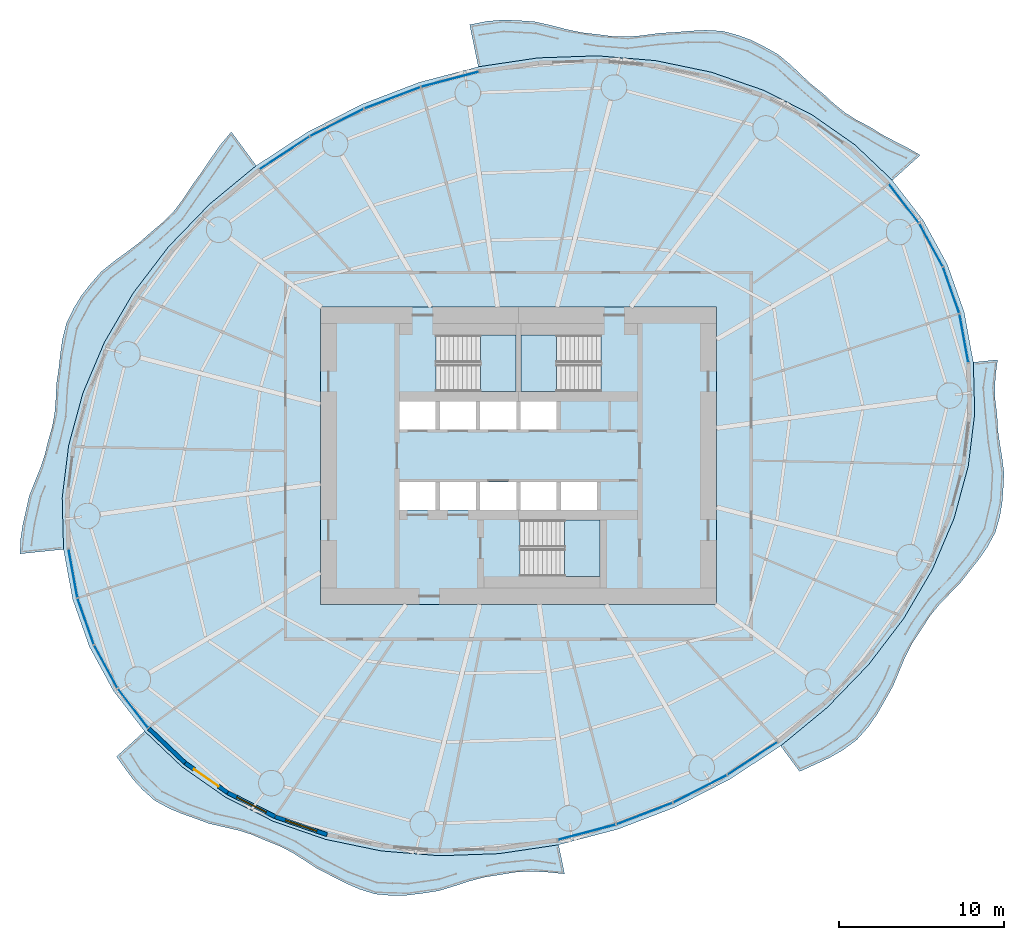
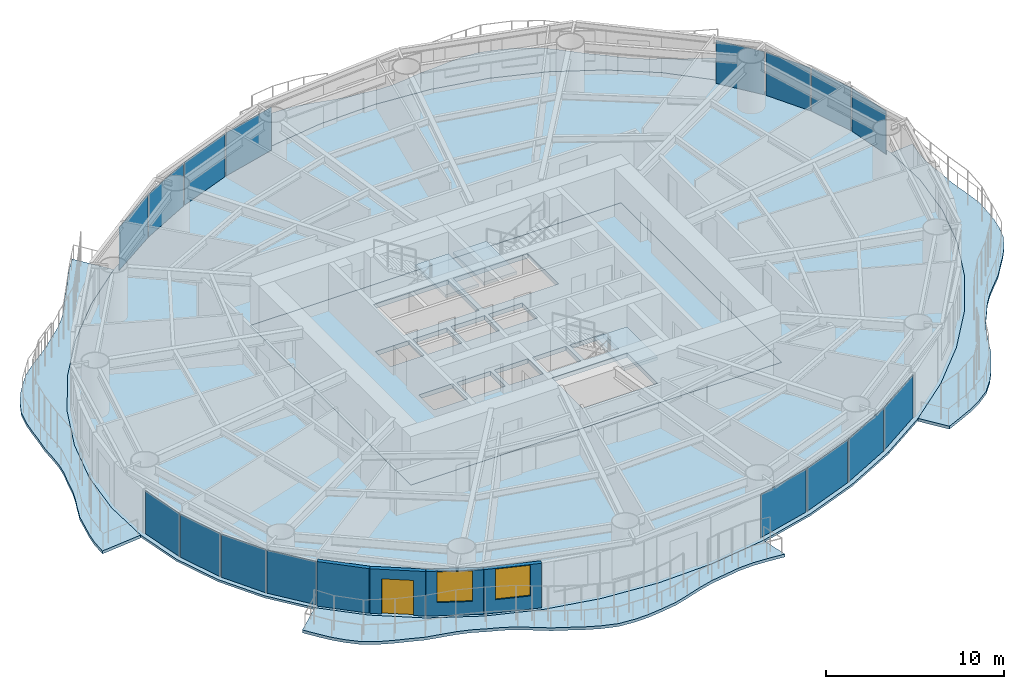
# One storey, part 6 of 15: 16 plates, 9 slabs, 4 walls, 2 windows, 1 door, 3 openings, 19 elements without a shape of their own.
"""IFC4 building model written with IfcOpenShell, lengths in metres."""

from ifc_helpers import new_model, si_unit, direction, frame, frame_2d, origin, origin_2d, place, context, subcontext, project, spatial, polyline, rectangle, outline, extrude, material, layer, layer_set, type_object, element, fill, aggregate, save


model = new_model("IFC4")

# Units and contexts
model_context = context("Model", 3, precision=1e-05, world=origin(), true_north=direction((0.0, 1.0)))
body_context = subcontext(model_context, "Body", "Model", "MODEL_VIEW")
ifc_project = project(units=[si_unit("LENGTHUNIT", "METRE"), si_unit("AREAUNIT", "SQUARE_METRE"), si_unit("VOLUMEUNIT", "CUBIC_METRE"), si_unit("PLANEANGLEUNIT", "RADIAN"), si_unit("MASSUNIT", "GRAM", prefix="KILO")], contexts=[model_context])

# Site, building, storey
site_placement = place(None, origin())
site = spatial("IfcSite", under=ifc_project, at=site_placement, CompositionType="ELEMENT")
building_placement = place(site_placement, origin())
building = spatial("IfcBuilding", under=site, at=building_placement, Name="Vermilion Reach Broadcast Tower", CompositionType="ELEMENT")
storey_placement = place(building_placement, frame((0.0, 0.0, 128.199951171875)))
storey = spatial("IfcBuildingStorey", under=building, at=storey_placement, Name="L30", CompositionType="ELEMENT", Elevation=128.199951171875)

# Slabs
ifc_material_1 = material(Name="Concrete C40/50", Category="concrete")
ifc_layer_1 = layer(ifc_material_1, 0.199951171875)
ifc_layer_set_1 = layer_set([ifc_layer_1], Name="Balcony slab 200")
slab_type_1 = type_object("IfcSlabType", Name="Balcony slab 200", PredefinedType="FLOOR", material=ifc_layer_set_1)
placement_1 = place(storey_placement, frame((0.0, 0.0, -0.199951171875)))
element("IfcSlab", 1, at=placement_1, inside=storey, type_object=slab_type_1, Name="Balcony slab L30 group 1", PredefinedType="FLOOR", context=body_context, shape_type="SweptSolid", body=[
    extrude(outline(polyline([(16.636474609375, 16.67919921875), (14.37060546875, 18.829345703125), (11.756103515625, 20.6572265625), (8.837890625, 22.1318359375), (5.665771484375, 23.2275390625), (2.2939453125, 23.926025390625), (-1.2197265625, 24.215087890625), (-4.815185546875, 24.089599609375), (-8.430908203125, 23.55224609375), (-8.9541015625, 26.10107421875), (-7.91650390625, 26.307861328125), (-7.004150390625, 26.384765625), (-6.076904296875, 26.3623046875), (-5.015869140625, 26.28271484375), (-3.983642578125, 26.049560546875), (-3.075439453125, 25.81494140625), (-2.168701171875, 25.623779296875), (-1.18896484375, 25.512939453125), (-0.23876953125, 25.388671875), (0.644287109375, 25.372802734375), (1.534912109375, 25.450439453125), (2.533935546875, 25.59130859375), (3.529296875, 25.646240234375), (4.424560546875, 25.72412109375), (5.31298828125, 25.768798828125), (6.35009765625, 25.716064453125), (7.32275390625, 25.455078125), (8.10888671875, 25.1611328125), (8.86572265625, 24.7822265625), (9.747314453125, 24.28125), (10.51416015625, 23.636962890625), (11.1318359375, 23.046875), (11.755126953125, 22.4677734375), (12.48779296875, 21.880615234375), (13.15283203125, 21.26318359375), (13.779541015625, 20.767822265625), (14.45458984375, 20.34130859375), (15.260986328125, 19.919921875), (16.02587890625, 19.439208984375), (16.743896484375, 19.061279296875), (17.4736328125, 18.69580078125), (18.323486328125, 18.2021484375), (16.636474609375, 16.67919921875)])), origin(), (0.0, 0.0, 1.0), 0.199951171875),
])
element("IfcSlab", 2, at=placement_1, inside=storey, type_object=slab_type_1, Name="Balcony slab L30 group 2", PredefinedType="FLOOR", context=body_context, shape_type="SweptSolid", body=[
    extrude(outline(polyline([(-21.876220703125, 17.56591796875), (-24.69482421875, 15.23876953125), (-27.19384765625, 12.650634765625), (-29.330322265625, 9.845947265625), (-31.0673828125, 6.873046875), (-32.37548828125, 3.782470703125), (-33.232421875, 0.627197265625), (-33.62353515625, -2.5390625), (-33.541748046875, -5.66162109375), (-36.178466796875, -5.935302734375), (-36.13134765625, -4.9482421875), (-36.007568359375, -4.163818359375), (-35.828857421875, -3.3779296875), (-35.62255859375, -2.442138671875), (-35.267333984375, -1.532470703125), (-34.953857421875, -0.767578125), (-34.689208984375, 0.00341796875), (-34.482666015625, 0.872802734375), (-34.228759765625, 1.74462890625), (-34.083251953125, 2.55224609375), (-34.013427734375, 3.380126953125), (-33.971435546875, 4.333984375), (-33.829833984375, 5.30908203125), (-33.734375, 6.1796875), (-33.610107421875, 7.038330078125), (-33.365966796875, 8.025146484375), (-32.916748046875, 8.95068359375), (-32.467041015625, 9.684814453125), (-31.935791015625, 10.37158203125), (-31.264892578125, 11.14111328125), (-30.446533203125, 11.80419921875), (-29.699462890625, 12.34326171875), (-28.96923828125, 12.89501953125), (-28.235595703125, 13.544921875), (-27.478759765625, 14.176025390625), (-26.8525390625, 14.821533203125), (-26.3017578125, 15.539794921875), (-25.753662109375, 16.383056640625), (-25.14404296875, 17.218017578125), (-24.61572265625, 18.013671875), (-24.07373046875, 18.79248046875), (-23.384765625, 19.612060546875), (-21.876220703125, 17.56591796875)])), origin(), (0.0, 0.0, 1.0), 0.199951171875),
])
element("IfcSlab", 3, at=placement_1, inside=storey, type_object=slab_type_1, Name="Balcony slab L30 group 3", PredefinedType="FLOOR", context=body_context, shape_type="SweptSolid", body=[
    extrude(outline(polyline([(-28.636474609375, -16.67919921875), (-26.37060546875, -18.829345703125), (-23.756103515625, -20.6572265625), (-20.837890625, -22.1318359375), (-17.665771484375, -23.2275390625), (-14.2939453125, -23.926025390625), (-10.7802734375, -24.215087890625), (-7.184814453125, -24.089599609375), (-3.569091796875, -23.55224609375), (-3.20751953125, -25.3134765625), (-4.246337890625, -25.212158203125), (-5.177978515625, -25.15966796875), (-6.095947265625, -25.19970703125), (-7.06884765625, -25.357666015625), (-8.035400390625, -25.508544921875), (-8.927001953125, -25.7421875), (-9.817138671875, -26.030517578125), (-10.830322265625, -26.338623046875), (-11.852294921875, -26.49755859375), (-12.74560546875, -26.606689453125), (-13.6318359375, -26.629150390625), (-14.67041015625, -26.5380859375), (-15.650390625, -26.230712890625), (-16.4560546875, -25.876708984375), (-17.250732421875, -25.468017578125), (-18.156982421875, -25.013671875), (-18.983642578125, -24.472900390625), (-19.712646484375, -24.013916015625), (-20.465087890625, -23.622314453125), (-21.326171875, -23.2861328125), (-22.155517578125, -22.927001953125), (-22.94580078125, -22.6787109375), (-23.76513671875, -22.488037109375), (-24.7216796875, -22.271728515625), (-25.62353515625, -21.936279296875), (-26.404052734375, -21.660888671875), (-27.157958984375, -21.34716796875), (-28.033203125, -20.865966796875), (-28.76025390625, -20.21337890625), (-29.2900390625, -19.636962890625), (-29.7685546875, -19.0068359375), (-30.33447265625, -18.2119140625), (-28.636474609375, -16.67919921875)])), origin(), (0.0, 0.0, 1.0), 0.199951171875),
])
element("IfcSlab", 4, at=placement_1, inside=storey, type_object=slab_type_1, Name="Balcony slab L30 group 4", PredefinedType="FLOOR", context=body_context, shape_type="SweptSolid", body=[
    extrude(outline(polyline([(9.876220703125, -17.56591796875), (12.69482421875, -15.23876953125), (15.19384765625, -12.650634765625), (17.330322265625, -9.845947265625), (19.0673828125, -6.873046875), (20.37548828125, -3.782470703125), (21.232421875, -0.627197265625), (21.62353515625, 2.5390625), (21.541748046875, 5.66162109375), (23.009765625, 5.81396484375), (22.889892578125, 4.915771484375), (22.838623046875, 4.133056640625), (22.8671875, 3.352783203125), (22.97705078125, 2.473388671875), (23.025390625, 1.562255859375), (23.13818359375, 0.74462890625), (23.278076171875, -0.076171875), (23.397216796875, -1.052490234375), (23.346923828125, -2.04833984375), (23.281494140625, -2.877685546875), (23.14111328125, -3.6865234375), (22.86962890625, -4.64453125), (22.380615234375, -5.542236328125), (21.89013671875, -6.24560546875), (21.35009765625, -6.92822265625), (20.741943359375, -7.71240234375), (20.03173828125, -8.43359375), (19.421875, -9.07421875), (18.8759765625, -9.752197265625), (18.37158203125, -10.543212890625), (17.841552734375, -11.343505859375), (17.431884765625, -12.139404296875), (17.077880859375, -12.977783203125), (16.683837890625, -13.9296875), (16.17138671875, -14.844482421875), (15.708251953125, -15.647705078125), (15.1904296875, -16.39794921875), (14.497314453125, -17.18701171875), (13.64013671875, -17.81884765625), (12.833984375, -18.27783203125), (11.979736328125, -18.678466796875), (11.019287109375, -19.11669921875), (9.876220703125, -17.56591796875)])), origin(), (0.0, 0.0, 1.0), 0.199951171875),
])
ifc_material_2 = material(Name="Concrete C40", Category="concrete")
ifc_layer_2 = layer(ifc_material_2, 0.300048828125)
ifc_layer_set_2 = layer_set([ifc_layer_2], Name="Core floor slab 300 mm Concrete C40")
slab_type_2 = type_object("IfcSlabType", Name="Core floor slab 300 mm Concrete C40", PredefinedType="FLOOR", material=ifc_layer_set_2)
slab_5_placement = place(storey_placement, frame((0.0, 0.0, -0.300048828125)))
element("IfcSlab", 5, at=slab_5_placement, inside=storey, type_object=slab_type_2, Name="L30 core floor", PredefinedType="FLOOR", context=body_context, shape_type="SweptSolid", body=[
    extrude(outline(polyline([(-18.0, -9.0), (6.0, -9.0), (6.0, 9.0), (-18.0, 9.0), (-18.0, -9.0)]), holes=[polyline([(-13.199951171875, 1.60009765625), (-11.00830078125, 1.60009765625), (-11.00830078125, 3.280029296875), (-13.199951171875, 3.280029296875), (-13.199951171875, 1.60009765625)]), polyline([(-10.75830078125, 1.60009765625), (-8.566650390625, 1.60009765625), (-8.566650390625, 3.280029296875), (-10.75830078125, 3.280029296875), (-10.75830078125, 1.60009765625)]), polyline([(-8.316650390625, 1.60009765625), (-6.125, 1.60009765625), (-6.125, 3.280029296875), (-8.316650390625, 3.280029296875), (-8.316650390625, 1.60009765625)]), polyline([(-5.875, 1.60009765625), (-3.683349609375, 1.60009765625), (-3.683349609375, 3.280029296875), (-5.875, 3.280029296875), (-5.875, 1.60009765625)]), polyline([(-13.199951171875, -3.280029296875), (-11.00830078125, -3.280029296875), (-11.00830078125, -1.60009765625), (-13.199951171875, -1.60009765625), (-13.199951171875, -3.280029296875)]), polyline([(-10.75830078125, -3.280029296875), (-8.566650390625, -3.280029296875), (-8.566650390625, -1.60009765625), (-10.75830078125, -1.60009765625), (-10.75830078125, -3.280029296875)]), polyline([(-8.316650390625, -3.280029296875), (-6.125, -3.280029296875), (-6.125, -1.60009765625), (-8.316650390625, -1.60009765625), (-8.316650390625, -3.280029296875)]), polyline([(-5.875, -3.280029296875), (-3.683349609375, -3.280029296875), (-3.683349609375, -1.60009765625), (-5.875, -1.60009765625), (-5.875, -3.280029296875)]), polyline([(-3.433349609375, -3.280029296875), (-1.24169921875, -3.280029296875), (-1.24169921875, -1.60009765625), (-3.433349609375, -1.60009765625), (-3.433349609375, -3.280029296875)]), polyline([(-10.999267578125, 3.8798828125), (-6.14990234375, 3.8798828125), (-6.14990234375, 7.300048828125), (-10.999267578125, 7.300048828125), (-10.999267578125, 3.8798828125)]), polyline([(-1.000732421875, 7.300048828125), (-5.85009765625, 7.300048828125), (-5.85009765625, 3.8798828125), (-1.000732421875, 3.8798828125), (-1.000732421875, 7.300048828125)]), polyline([(-5.8994140625, -7.300048828125), (-1.050048828125, -7.300048828125), (-1.050048828125, -3.8798828125), (-5.8994140625, -3.8798828125), (-5.8994140625, -7.300048828125)])]), origin(), (0.0, 0.0, 1.0), 0.300048828125),
])

# Stair, slab
ifc_material_3 = material(Name="Concrete C40", Category="concrete")
stair_type = type_object("IfcStairType", Name="Exit stair RC 22 risers 164 mm", PredefinedType="HALF_TURN_STAIR", material=ifc_material_3)
placement_2 = place(storey_placement, origin())
stair_1 = element("IfcStair", 6, at=placement_2, inside=storey, type_object=stair_type, Name="L30 Exit stair ST1", PredefinedType="HALF_TURN_STAIR")
ifc_material_4 = material(Name="Concrete C40", Category="concrete")
ifc_layer_3 = layer(ifc_material_4, 0.199951171875)
ifc_layer_set_3 = layer_set([ifc_layer_3], Name="Exit stair landing Concrete C40")
slab_type_3 = type_object("IfcSlabType", Name="Exit stair landing Concrete C40", PredefinedType="LANDING", material=ifc_layer_set_3)
placement_3 = place(storey_placement, frame((0.0, 0.0, 1.60009765625)))
slab_6 = element("IfcSlab", 7, at=placement_3, type_object=slab_type_3, Name="ST1 landing 1", PredefinedType="LANDING", context=body_context, shape_type="SweptSolid", body=[
    extrude(outline(polyline([(-8.300048828125, 3.8798828125), (-6.14990234375, 3.8798828125), (-6.14990234375, 7.300048828125), (-8.300048828125, 7.300048828125), (-8.300048828125, 3.8798828125)])), origin(), (0.0, 0.0, 1.0), 0.199951171875),
])
aggregate(stair_1, [slab_6])

stair_2 = element("IfcStair", 8, at=placement_2, inside=storey, type_object=stair_type, Name="L30 Exit stair ST2", PredefinedType="HALF_TURN_STAIR")
slab_7 = element("IfcSlab", 9, at=placement_3, type_object=slab_type_3, Name="ST2 landing 1", PredefinedType="LANDING", context=body_context, shape_type="SweptSolid", body=[
    extrude(outline(polyline([(-3.699951171875, 7.300048828125), (-5.85009765625, 7.300048828125), (-5.85009765625, 3.8798828125), (-3.699951171875, 3.8798828125), (-3.699951171875, 7.300048828125)])), origin(), (0.0, 0.0, 1.0), 0.199951171875),
])
aggregate(stair_2, [slab_7])

stair_3 = element("IfcStair", 10, at=placement_2, inside=storey, type_object=stair_type, Name="L30 Exit stair ST3", PredefinedType="HALF_TURN_STAIR")
slab_8 = element("IfcSlab", 11, at=placement_3, type_object=slab_type_3, Name="ST3 landing 1", PredefinedType="LANDING", context=body_context, shape_type="SweptSolid", body=[
    extrude(outline(polyline([(-3.199951171875, -7.300048828125), (-1.050048828125, -7.300048828125), (-1.050048828125, -3.8798828125), (-3.199951171875, -3.8798828125), (-3.199951171875, -7.300048828125)])), origin(), (0.0, 0.0, 1.0), 0.199951171875),
])
aggregate(stair_3, [slab_8])

# Slab
ifc_material_5 = material(Name="Concrete C40", Category="concrete")
ifc_layer_4 = layer(ifc_material_5, 0.14990234375)
ifc_layer_set_4 = layer_set([ifc_layer_4], Name="Floor slab Concrete C40 composite 150")
slab_type_4 = type_object("IfcSlabType", Name="Floor slab Concrete C40 composite 150", PredefinedType="FLOOR", material=ifc_layer_set_4)
slab_9_placement = place(storey_placement, frame((0.0, 0.0, -0.14990234375)))
element("IfcSlab", 12, at=slab_9_placement, inside=storey, type_object=slab_type_4, Name="Floor slab L30", PredefinedType="FLOOR", context=body_context, shape_type="SweptSolid", body=[
    extrude(outline(polyline([(19.97412109375, 11.564453125), (18.51513671875, 14.24365234375), (16.636474609375, 16.67919921875), (14.37060546875, 18.829345703125), (11.756103515625, 20.6572265625), (8.837890625, 22.1318359375), (5.665771484375, 23.2275390625), (2.2939453125, 23.926025390625), (-1.2197265625, 24.215087890625), (-4.815185546875, 24.089599609375), (-8.430908203125, 23.55224609375), (-12.005126953125, 22.61181640625), (-15.476318359375, 21.284423828125), (-18.78564453125, 19.5927734375), (-21.876220703125, 17.56591796875), (-24.69482421875, 15.23876953125), (-27.19384765625, 12.650634765625), (-29.330322265625, 9.845947265625), (-31.0673828125, 6.873046875), (-32.37548828125, 3.782470703125), (-33.232421875, 0.627197265625), (-33.62353515625, -2.5390625), (-33.541748046875, -5.66162109375), (-32.98876953125, -8.687255859375), (-31.97412109375, -11.564453125), (-30.51513671875, -14.24365234375), (-28.636474609375, -16.67919921875), (-26.37060546875, -18.829345703125), (-23.756103515625, -20.6572265625), (-20.837890625, -22.1318359375), (-17.665771484375, -23.2275390625), (-14.2939453125, -23.926025390625), (-10.7802734375, -24.215087890625), (-7.184814453125, -24.089599609375), (-3.569091796875, -23.55224609375), (0.005126953125, -22.61181640625), (3.476318359375, -21.284423828125), (6.78564453125, -19.5927734375), (9.876220703125, -17.56591796875), (12.69482421875, -15.23876953125), (15.19384765625, -12.650634765625), (17.330322265625, -9.845947265625), (19.0673828125, -6.873046875), (20.37548828125, -3.782470703125), (21.232421875, -0.627197265625), (21.62353515625, 2.5390625), (21.541748046875, 5.66162109375), (20.98876953125, 8.687255859375), (19.97412109375, 11.564453125)]), holes=[polyline([(-18.0, -9.0), (6.0, -9.0), (6.0, 9.0), (-18.0, 9.0), (-18.0, -9.0)])]), origin(), (0.0, 0.0, 1.0), 0.14990234375),
])

# Curtain wall, plate
ifc_material_6 = material(Name="Low-e laminated clear glass in aluminium frame", Category="aluminium")
curtain_wall_type = type_object("IfcCurtainWallType", Name="Slot curtain wall", PredefinedType="NOTDEFINED", material=ifc_material_6)
curtain_wall_1 = element("IfcCurtainWall", 13, at=placement_2, inside=storey, type_object=curtain_wall_type, Name="Slot curtain wall L30 46", PredefinedType="NOTDEFINED")
ifc_material_7 = material(Name="Low-e laminated clear glass", Category="glass")
ifc_layer_5 = layer(ifc_material_7, 0.028076171875)
ifc_layer_set_5 = layer_set([ifc_layer_5], Name="Slot glass panel")
plate_type = type_object("IfcPlateType", Name="Slot glass panel", PredefinedType="CURTAIN_PANEL", material=ifc_layer_set_5)
plate_1_placement = place(storey_placement, frame((20.97119140625, 7.12060546875, 0.0), z_axis=(0.0, 0.0, 1.0), x_axis=(-0.179754827365, 0.983711442466, 0.0)))
plate_1 = element("IfcPlate", 14, at=plate_1_placement, type_object=plate_type, Name="Slot glass panel L30 46", PredefinedType="CURTAIN_PANEL", context=body_context, shape_type="SweptSolid", body=[
    extrude(rectangle(XDim=2.948974609375, YDim=0.028076171875, at=origin_2d()), origin(), (0.0, 0.0, 1.0), 2.949951171875),
])
aggregate(curtain_wall_1, [plate_1])

curtain_wall_2 = element("IfcCurtainWall", 15, at=placement_2, inside=storey, type_object=curtain_wall_type, Name="Slot curtain wall L30 47", PredefinedType="NOTDEFINED")
plate_2_placement = place(storey_placement, frame((20.199462890625, 10.0263671875, 0.0), z_axis=(0.0, 0.0, 1.0), x_axis=(-0.332601754903, 0.943067374388, 0.0)))
plate_2 = element("IfcPlate", 16, at=plate_2_placement, type_object=plate_type, Name="Slot glass panel L30 47", PredefinedType="CURTAIN_PANEL", context=body_context, shape_type="SweptSolid", body=[
    extrude(rectangle(XDim=2.923095703125, YDim=0.028076171875, at=origin_2d()), origin(), (0.0, 0.0, 1.0), 2.949951171875),
])
aggregate(curtain_wall_2, [plate_2])

curtain_wall_3 = element("IfcCurtainWall", 17, at=placement_2, inside=storey, type_object=curtain_wall_type, Name="Slot curtain wall L30 00", PredefinedType="NOTDEFINED")
plate_3_placement = place(storey_placement, frame((18.98193359375, 12.760986328125, 0.0), z_axis=(0.0, 0.0, 1.0), x_axis=(-0.478281521866, 0.878206573559, 0.0)))
plate_3 = element("IfcPlate", 18, at=plate_3_placement, type_object=plate_type, Name="Slot glass panel L30 00", PredefinedType="CURTAIN_PANEL", context=body_context, shape_type="SweptSolid", body=[
    extrude(rectangle(XDim=2.923095703125, YDim=0.028076171875, at=origin_2d()), origin(), (0.0, 0.0, 1.0), 2.949951171875),
])
aggregate(curtain_wall_3, [plate_3])

curtain_wall_4 = element("IfcCurtainWall", 19, at=placement_2, inside=storey, type_object=curtain_wall_type, Name="Slot curtain wall L30 01", PredefinedType="NOTDEFINED")
plate_4_placement = place(storey_placement, frame((17.3388671875, 15.27880859375, 0.0), z_axis=(0.0, 0.0, 1.0), x_axis=(-0.610760620266, 0.791815297107, 0.0)))
plate_4 = element("IfcPlate", 20, at=plate_4_placement, type_object=plate_type, Name="Slot glass panel L30 01", PredefinedType="CURTAIN_PANEL", context=body_context, shape_type="SweptSolid", body=[
    extrude(rectangle(XDim=2.948974609375, YDim=0.028076171875, at=origin_2d()), origin(), (0.0, 0.0, 1.0), 2.949951171875),
])
aggregate(curtain_wall_4, [plate_4])

curtain_wall_5 = element("IfcCurtainWall", 21, at=placement_2, inside=storey, type_object=curtain_wall_type, Name="Slot curtain wall L30 10", PredefinedType="NOTDEFINED")
plate_5_placement = place(storey_placement, frame((-10.141845703125, 22.792236328125, 0.0), z_axis=(0.0, 0.0, 1.0), x_axis=(-0.96707948051, -0.254474514198, 0.0)))
plate_5 = element("IfcPlate", 22, at=plate_5_placement, type_object=plate_type, Name="Slot glass panel L30 10", PredefinedType="CURTAIN_PANEL", context=body_context, shape_type="SweptSolid", body=[
    extrude(rectangle(XDim=3.583251953125, YDim=0.028076171875, at=origin_2d()), origin(), (0.0, 0.0, 1.0), 2.949951171875),
])
aggregate(curtain_wall_5, [plate_5])

curtain_wall_6 = element("IfcCurtainWall", 23, at=placement_2, inside=storey, type_object=curtain_wall_type, Name="Slot curtain wall L30 11", PredefinedType="NOTDEFINED")
plate_6_placement = place(storey_placement, frame((-13.6337890625, 21.668212890625, 0.0), z_axis=(0.0, 0.0, 1.0), x_axis=(-0.934044458079, -0.357156758766, 0.0)))
plate_6 = element("IfcPlate", 24, at=plate_6_placement, type_object=plate_type, Name="Slot glass panel L30 11", PredefinedType="CURTAIN_PANEL", context=body_context, shape_type="SweptSolid", body=[
    extrude(rectangle(XDim=3.604248046875, YDim=0.028076171875, at=origin_2d()), origin(), (0.0, 0.0, 1.0), 2.949951171875),
])
aggregate(curtain_wall_6, [plate_6])

curtain_wall_7 = element("IfcCurtainWall", 25, at=placement_2, inside=storey, type_object=curtain_wall_type, Name="Slot curtain wall L30 12", PredefinedType="NOTDEFINED")
plate_7_placement = place(storey_placement, frame((-16.99462890625, 20.171875, 0.0), z_axis=(0.0, 0.0, 1.0), x_axis=(-0.890416860117, -0.45514592739, 0.0)))
plate_7 = element("IfcPlate", 26, at=plate_7_placement, type_object=plate_type, Name="Slot glass panel L30 12", PredefinedType="CURTAIN_PANEL", context=body_context, shape_type="SweptSolid", body=[
    extrude(rectangle(XDim=3.604248046875, YDim=0.028076171875, at=origin_2d()), origin(), (0.0, 0.0, 1.0), 2.949951171875),
])
aggregate(curtain_wall_7, [plate_7])

curtain_wall_8 = element("IfcCurtainWall", 27, at=placement_2, inside=storey, type_object=curtain_wall_type, Name="Slot curtain wall L30 13", PredefinedType="NOTDEFINED")
plate_8_placement = place(storey_placement, frame((-20.16650390625, 18.328857421875, 0.0), z_axis=(0.0, 0.0, 1.0), x_axis=(-0.836213963772, -0.548403324929, 0.0)))
plate_8 = element("IfcPlate", 28, at=plate_8_placement, type_object=plate_type, Name="Slot glass panel L30 13", PredefinedType="CURTAIN_PANEL", context=body_context, shape_type="SweptSolid", body=[
    extrude(rectangle(XDim=3.583251953125, YDim=0.028076171875, at=origin_2d()), origin(), (0.0, 0.0, 1.0), 2.949951171875),
])
aggregate(curtain_wall_8, [plate_8])

curtain_wall_9 = element("IfcCurtainWall", 29, at=placement_2, inside=storey, type_object=curtain_wall_type, Name="Slot curtain wall L30 22", PredefinedType="NOTDEFINED")
plate_9_placement = place(storey_placement, frame((-32.97119140625, -7.12060546875, 0.0), z_axis=(0.0, 0.0, 1.0), x_axis=(0.179754827365, -0.983711442466, 0.0)))
plate_9 = element("IfcPlate", 30, at=plate_9_placement, type_object=plate_type, Name="Slot glass panel L30 22", PredefinedType="CURTAIN_PANEL", context=body_context, shape_type="SweptSolid", body=[
    extrude(rectangle(XDim=2.948974609375, YDim=0.028076171875, at=origin_2d()), origin(), (0.0, 0.0, 1.0), 2.949951171875),
])
aggregate(curtain_wall_9, [plate_9])

curtain_wall_10 = element("IfcCurtainWall", 31, at=placement_2, inside=storey, type_object=curtain_wall_type, Name="Slot curtain wall L30 23", PredefinedType="NOTDEFINED")
plate_10_placement = place(storey_placement, frame((-32.199462890625, -10.0263671875, 0.0), z_axis=(0.0, 0.0, 1.0), x_axis=(0.332601754903, -0.943067374388, 0.0)))
plate_10 = element("IfcPlate", 32, at=plate_10_placement, type_object=plate_type, Name="Slot glass panel L30 23", PredefinedType="CURTAIN_PANEL", context=body_context, shape_type="SweptSolid", body=[
    extrude(rectangle(XDim=2.923095703125, YDim=0.028076171875, at=origin_2d()), origin(), (0.0, 0.0, 1.0), 2.949951171875),
])
aggregate(curtain_wall_10, [plate_10])

curtain_wall_11 = element("IfcCurtainWall", 33, at=placement_2, inside=storey, type_object=curtain_wall_type, Name="Slot curtain wall L30 24", PredefinedType="NOTDEFINED")
plate_11_placement = place(storey_placement, frame((-30.98193359375, -12.760986328125, 0.0), z_axis=(0.0, 0.0, 1.0), x_axis=(0.478281521866, -0.878206573559, 0.0)))
plate_11 = element("IfcPlate", 34, at=plate_11_placement, type_object=plate_type, Name="Slot glass panel L30 24", PredefinedType="CURTAIN_PANEL", context=body_context, shape_type="SweptSolid", body=[
    extrude(rectangle(XDim=2.923095703125, YDim=0.028076171875, at=origin_2d()), origin(), (0.0, 0.0, 1.0), 2.949951171875),
])
aggregate(curtain_wall_11, [plate_11])

curtain_wall_12 = element("IfcCurtainWall", 35, at=placement_2, inside=storey, type_object=curtain_wall_type, Name="Slot curtain wall L30 25", PredefinedType="NOTDEFINED")
plate_12_placement = place(storey_placement, frame((-29.3388671875, -15.27880859375, 0.0), z_axis=(0.0, 0.0, 1.0), x_axis=(0.610760620266, -0.791815297107, 0.0)))
plate_12 = element("IfcPlate", 36, at=plate_12_placement, type_object=plate_type, Name="Slot glass panel L30 25", PredefinedType="CURTAIN_PANEL", context=body_context, shape_type="SweptSolid", body=[
    extrude(rectangle(XDim=2.948974609375, YDim=0.028076171875, at=origin_2d()), origin(), (0.0, 0.0, 1.0), 2.949951171875),
])
aggregate(curtain_wall_12, [plate_12])

curtain_wall_13 = element("IfcCurtainWall", 37, at=placement_2, inside=storey, type_object=curtain_wall_type, Name="Slot curtain wall L30 34", PredefinedType="NOTDEFINED")
plate_13_placement = place(storey_placement, frame((-1.858154296875, -22.792236328125, 0.0), z_axis=(0.0, 0.0, 1.0), x_axis=(0.96707948051, 0.254474514198, 0.0)))
plate_13 = element("IfcPlate", 38, at=plate_13_placement, type_object=plate_type, Name="Slot glass panel L30 34", PredefinedType="CURTAIN_PANEL", context=body_context, shape_type="SweptSolid", body=[
    extrude(rectangle(XDim=3.583251953125, YDim=0.028076171875, at=origin_2d()), origin(), (0.0, 0.0, 1.0), 2.949951171875),
])
aggregate(curtain_wall_13, [plate_13])

curtain_wall_14 = element("IfcCurtainWall", 39, at=placement_2, inside=storey, type_object=curtain_wall_type, Name="Slot curtain wall L30 35", PredefinedType="NOTDEFINED")
plate_14_placement = place(storey_placement, frame((1.6337890625, -21.668212890625, 0.0), z_axis=(0.0, 0.0, 1.0), x_axis=(0.934044458079, 0.357156758766, 0.0)))
plate_14 = element("IfcPlate", 40, at=plate_14_placement, type_object=plate_type, Name="Slot glass panel L30 35", PredefinedType="CURTAIN_PANEL", context=body_context, shape_type="SweptSolid", body=[
    extrude(rectangle(XDim=3.604248046875, YDim=0.028076171875, at=origin_2d()), origin(), (0.0, 0.0, 1.0), 2.949951171875),
])
aggregate(curtain_wall_14, [plate_14])

curtain_wall_15 = element("IfcCurtainWall", 41, at=placement_2, inside=storey, type_object=curtain_wall_type, Name="Slot curtain wall L30 36", PredefinedType="NOTDEFINED")
plate_15_placement = place(storey_placement, frame((4.99462890625, -20.171875, 0.0), z_axis=(0.0, 0.0, 1.0), x_axis=(0.890416860117, 0.45514592739, 0.0)))
plate_15 = element("IfcPlate", 42, at=plate_15_placement, type_object=plate_type, Name="Slot glass panel L30 36", PredefinedType="CURTAIN_PANEL", context=body_context, shape_type="SweptSolid", body=[
    extrude(rectangle(XDim=3.604248046875, YDim=0.028076171875, at=origin_2d()), origin(), (0.0, 0.0, 1.0), 2.949951171875),
])
aggregate(curtain_wall_15, [plate_15])

curtain_wall_16 = element("IfcCurtainWall", 43, at=placement_2, inside=storey, type_object=curtain_wall_type, Name="Slot curtain wall L30 37", PredefinedType="NOTDEFINED")
plate_16_placement = place(storey_placement, frame((8.16650390625, -18.328857421875, 0.0), z_axis=(0.0, 0.0, 1.0), x_axis=(0.836213963772, 0.548403324929, 0.0)))
plate_16 = element("IfcPlate", 44, at=plate_16_placement, type_object=plate_type, Name="Slot glass panel L30 37", PredefinedType="CURTAIN_PANEL", context=body_context, shape_type="SweptSolid", body=[
    extrude(rectangle(XDim=3.583251953125, YDim=0.028076171875, at=origin_2d()), origin(), (0.0, 0.0, 1.0), 2.949951171875),
])
aggregate(curtain_wall_16, [plate_16])

# Wall
ifc_material_8 = material(Name="Terracotta rainscreen cladding", Category="masonry")
ifc_layer_6 = layer(ifc_material_8, 0.25)
ifc_layer_set_6 = layer_set([ifc_layer_6], Name="Terracotta rainscreen wall 250")
wall_type = type_object("IfcWallType", Name="Terracotta rainscreen wall 250", PredefinedType="SOLIDWALL", material=ifc_layer_set_6)
wall_1_placement = place(storey_placement, frame((-28.3740234375, -16.515869140625, 0.0), z_axis=(0.0, 0.0, 1.0), x_axis=(0.725398271138, -0.688329389341, 0.0)))
element("IfcWall", 45, at=wall_1_placement, inside=storey, type_object=wall_type, Name="External wall L30 26", PredefinedType="SOLIDWALL", context=body_context, shape_type="SweptSolid", body=[
    extrude(rectangle(XDim=3.009765625, YDim=0.25, at=frame_2d((1.5048828125, 0.0))), origin(), (0.0, 0.0, 1.0), 3.050048828125),
])

# Wall, opening, door
wall_2_placement = place(storey_placement, frame((-26.170166015625, -18.6044921875, 0.0), z_axis=(0.0, 0.0, 1.0), x_axis=(0.81958096781, -0.572963382079, 0.0)))
wall_2 = element("IfcWall", 46, at=wall_2_placement, inside=storey, type_object=wall_type, Name="External wall L30 27", PredefinedType="SOLIDWALL", context=body_context, shape_type="SweptSolid", body=[
    extrude(rectangle(XDim=3.120361328125, YDim=0.25, at=frame_2d((1.56005859375, 0.0))), origin(), (0.0, 0.0, 1.0), 3.050048828125),
])
opening_1_placement = place(wall_2_placement, frame((0.659912109375, 0.0, 0.0)))
opening_1 = element("IfcOpeningElement", 47, at=opening_1_placement, cuts=wall_2, Name="Opening D70", PredefinedType="OPENING", context=body_context, shape_type="SweptSolid", body=[
    extrude(rectangle(XDim=1.800048828125, YDim=2.39990234375, at=frame_2d((0.89990234375, 1.199951171875))), frame((0.0, 0.135009765625, 0.0), z_axis=(0.0, -1.0, 0.0), x_axis=(1.0, 0.0, 0.0)), (0.0, 0.0, 1.0), 0.27001953125),
])
ifc_material_9 = material(Name="Low-e laminated clear glass in aluminium frame", Category="aluminium")
door_type = type_object("IfcDoorType", Name="Balcony sliding door 1800 x 2400", OperationType="DOUBLE_DOOR_SLIDING", PredefinedType="DOOR", material=ifc_material_9)
door_placement = place(opening_1_placement, origin())
door = element("IfcDoor", 48, at=door_placement, inside=storey, type_object=door_type, Name="Balcony door L30 run 07", OperationType="DOUBLE_DOOR_SLIDING", OverallHeight=2.39990234375, OverallWidth=1.800048828125, PredefinedType="DOOR", context=body_context, shape_type="SweptSolid", body=[
    extrude(rectangle(XDim=1.800048828125, YDim=2.39990234375, at=frame_2d((0.89990234375, 1.199951171875))), frame((0.0, 0.02490234375, 0.0), z_axis=(0.0, -1.0, 0.0), x_axis=(1.0, 0.0, 0.0)), (0.0, 0.0, 1.0), 0.050048828125),
])
fill(opening_1, door)

# Wall, opening, window
wall_3_placement = place(storey_placement, frame((-23.5908203125, -20.405517578125, 0.0), z_axis=(0.0, 0.0, 1.0), x_axis=(0.892544139391, -0.450960041732, 0.0)))
wall_3 = element("IfcWall", 49, at=wall_3_placement, inside=storey, type_object=wall_type, Name="External wall L30 28", PredefinedType="SOLIDWALL", context=body_context, shape_type="SweptSolid", body=[
    extrude(rectangle(XDim=3.202880859375, YDim=0.25, at=frame_2d((1.6015625, 0.0))), origin(), (0.0, 0.0, 1.0), 3.050048828125),
])
opening_2_placement = place(wall_3_placement, frame((0.601318359375, 0.0, 0.89990234375)))
opening_2 = element("IfcOpeningElement", 50, at=opening_2_placement, cuts=wall_3, Name="Opening W03", PredefinedType="OPENING", context=body_context, shape_type="SweptSolid", body=[
    extrude(rectangle(XDim=2.0, YDim=2.10009765625, at=frame_2d((1.0, 1.050048828125))), frame((0.0, 0.135009765625, 0.0), z_axis=(0.0, -1.0, 0.0), x_axis=(1.0, 0.0, 0.0)), (0.0, 0.0, 1.0), 0.27001953125),
])
ifc_material_10 = material(Name="Low-e laminated clear glass in aluminium frame", Category="aluminium")
window_type = type_object("IfcWindowType", Name="Punched window 2000 x 2100 sill 900", PartitioningType="SINGLE_PANEL", PredefinedType="WINDOW", material=ifc_material_10)
window_1_placement = place(opening_2_placement, origin())
window_1 = element("IfcWindow", 51, at=window_1_placement, inside=storey, type_object=window_type, Name="Window L30 28", OverallHeight=2.10009765625, OverallWidth=2.0, PartitioningType="SINGLE_PANEL", PredefinedType="WINDOW", context=body_context, shape_type="SweptSolid", body=[
    extrude(rectangle(XDim=2.0, YDim=2.10009765625, at=frame_2d((1.0, 1.050048828125))), frame((0.0, 0.030029296875, 0.0), z_axis=(0.0, -1.0, 0.0), x_axis=(1.0, 0.0, 0.0)), (0.0, 0.0, 1.0), 0.06005859375),
])
fill(opening_2, window_1)

wall_4_placement = place(storey_placement, frame((-20.70947265625, -21.859375, 0.0), z_axis=(0.0, 0.0, 1.0), x_axis=(0.945193950443, -0.326509411878, 0.0)))
wall_4 = element("IfcWall", 52, at=wall_4_placement, inside=storey, type_object=wall_type, Name="External wall L30 29", PredefinedType="SOLIDWALL", context=body_context, shape_type="SweptSolid", body=[
    extrude(rectangle(XDim=3.292236328125, YDim=0.25, at=frame_2d((1.64599609375, 0.0))), origin(), (0.0, 0.0, 1.0), 3.050048828125),
])
opening_3_placement = place(wall_4_placement, frame((0.64599609375, 0.0, 0.89990234375)))
opening_3 = element("IfcOpeningElement", 53, at=opening_3_placement, cuts=wall_4, Name="Opening W03", PredefinedType="OPENING", context=body_context, shape_type="SweptSolid", body=[
    extrude(rectangle(XDim=2.0, YDim=2.10009765625, at=frame_2d((1.0, 1.050048828125))), frame((0.0, 0.135009765625, 0.0), z_axis=(0.0, -1.0, 0.0), x_axis=(1.0, 0.0, 0.0)), (0.0, 0.0, 1.0), 0.27001953125),
])
window_2_placement = place(opening_3_placement, origin())
window_2 = element("IfcWindow", 54, at=window_2_placement, inside=storey, type_object=window_type, Name="Window L30 29", OverallHeight=2.10009765625, OverallWidth=2.0, PartitioningType="SINGLE_PANEL", PredefinedType="WINDOW", context=body_context, shape_type="SweptSolid", body=[
    extrude(rectangle(XDim=2.0, YDim=2.10009765625, at=frame_2d((1.0, 1.050048828125))), frame((0.0, 0.030029296875, 0.0), z_axis=(0.0, -1.0, 0.0), x_axis=(1.0, 0.0, 0.0)), (0.0, 0.0, 1.0), 0.06005859375),
])
fill(opening_3, window_2)

save(model, "model.ifc")
